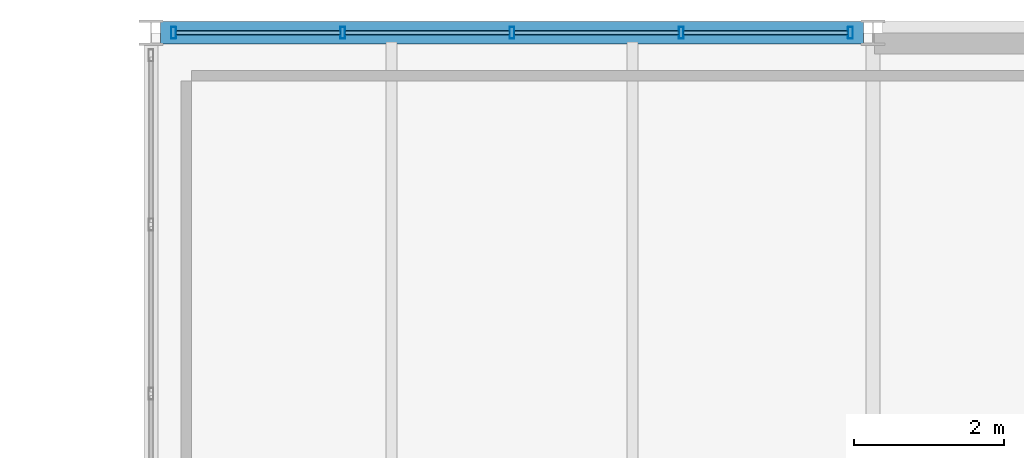
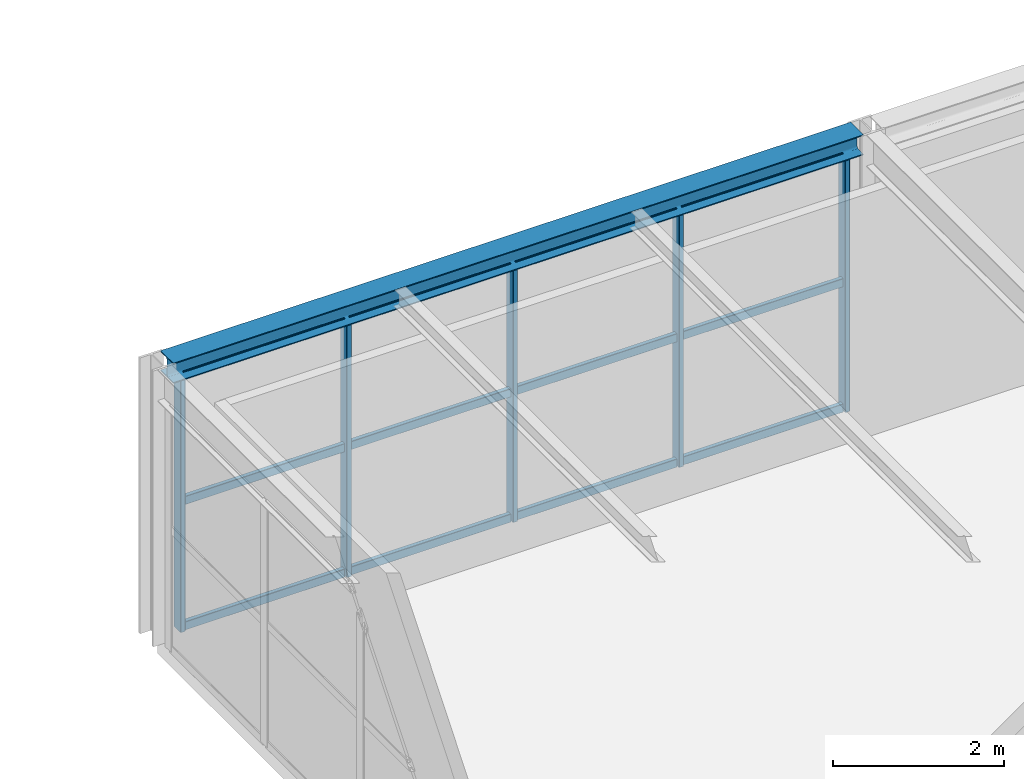
# One storey, part 74 of 126: 17 members, 1 beam, 1 element without a shape of its own.
"""IFC4 building model written with IfcOpenShell, lengths in metres."""

import ifcopenshell
import ifcopenshell.guid

model = None  # the IFC model being written
_history = None  # IfcOwnerHistory: only IFC2X3 demands one
_inside = {}  # id of a spatial element -> (the spatial element, [elements in it])
_under = {}  # id of a project, library or spatial element -> (it, [spatial elements below it])
_declared = {}  # id of a project -> (the project, [libraries it declares])
_typed = {}  # id of a type object -> (the type object, [elements of that type])
_made_of = {}  # id of a material, layer set ... -> (it, [elements and type objects made of it])


def new_model(schema):
    """Start an empty IFC model of exactly this schema.

    Asked for "IFC4X3", IfcOpenShell would pick the latest addendum, in which some entities
    have other attributes; the version numbers below select the first issue.
    IFC2X3 requires an IfcOwnerHistory on every rooted entity: one is made here for all.
    """
    global model, _history
    if schema == "IFC4X3":
        model = ifcopenshell.file(schema_version=(4, 3, 0, 0))
    else:
        model = ifcopenshell.file(schema=schema)
    _inside.clear()
    _under.clear()
    _declared.clear()
    _typed.clear()
    _made_of.clear()
    _history = None
    if model.schema == "IFC2X3":
        org = make("IfcOrganization", Name="unknown")
        user = make(
            "IfcPersonAndOrganization",
            ThePerson=make("IfcPerson", FamilyName="unknown"),
            TheOrganization=org,
        )
        app = make(
            "IfcApplication",
            ApplicationDeveloper=org,
            Version="unknown",
            ApplicationFullName="unknown",
            ApplicationIdentifier="unknown",
        )
        _history = make(
            "IfcOwnerHistory",
            OwningUser=user,
            OwningApplication=app,
            ChangeAction="ADDED",
            CreationDate=0,
        )
    return model


def make(cls, **values):
    """One entity of the class cls with the attributes given. An attribute that is None is left unset."""
    return model.create_entity(
        cls, **{name: value for name, value in values.items() if value is not None}
    )


def rooted(cls, **values):
    """An entity with a GlobalId (a new one), such as an element, a storey or a relation."""
    return make(cls, GlobalId=ifcopenshell.guid.new(), OwnerHistory=_history, **values)


def si_unit(unit_type, name, prefix=None):
    """IfcSIUnit, for example si_unit("LENGTHUNIT", "METRE", prefix="MILLI")."""
    return make("IfcSIUnit", UnitType=unit_type, Prefix=prefix, Name=name)


def assignment(units):
    """IfcUnitAssignment: the units of a project."""
    return None if units is None else make("IfcUnitAssignment", Units=units)


def point(xyz):
    """IfcCartesianPoint."""
    return None if xyz is None else make("IfcCartesianPoint", Coordinates=xyz)


def direction(xyz):
    """IfcDirection."""
    return None if xyz is None else make("IfcDirection", DirectionRatios=xyz)


def frame(location, z_axis=None, x_axis=None):
    """IfcAxis2Placement3D, a coordinate frame: its origin and axes. An axis left out is left unset."""
    return make(
        "IfcAxis2Placement3D",
        Location=point(location),
        Axis=direction(z_axis),
        RefDirection=direction(x_axis),
    )


def frame_2d(location, x_axis=None):
    """IfcAxis2Placement2D, a coordinate frame in the plane: its origin and x axis."""
    return make(
        "IfcAxis2Placement2D", Location=point(location), RefDirection=direction(x_axis)
    )


def origin():
    """The frame at (0, 0, 0) with its axes left unset."""
    return frame((0.0, 0.0, 0.0))


def origin_2d():
    """The frame at (0, 0) in the plane with its x axis left unset."""
    return frame_2d((0.0, 0.0))


def place(relative_to, where):
    """IfcLocalPlacement: puts the frame where relative to a parent placement (None: the world)."""
    return make(
        "IfcLocalPlacement", PlacementRelTo=relative_to, RelativePlacement=where
    )


def context(
    kind, dimensions, precision=None, world=None, true_north=None, identifier=None
):
    """IfcGeometricRepresentationContext, for example the 3D "Model" context."""
    return make(
        "IfcGeometricRepresentationContext",
        ContextIdentifier=identifier,
        ContextType=kind,
        CoordinateSpaceDimension=dimensions,
        Precision=precision,
        WorldCoordinateSystem=world,
        TrueNorth=true_north,
    )


def subcontext(parent, identifier, kind, view, scale=None):
    """IfcGeometricRepresentationSubContext, for example "Body" below "Model"."""
    return make(
        "IfcGeometricRepresentationSubContext",
        ContextIdentifier=identifier,
        ContextType=kind,
        ParentContext=parent,
        TargetScale=scale,
        TargetView=view,
    )


def project(units=None, contexts=None):
    """IfcProject with its units and contexts."""
    return rooted(
        "IfcProject",
        Name="project",
        RepresentationContexts=contexts,
        UnitsInContext=assignment(units),
    )


def spatial(cls, under=None, at=None, **own):
    """A site, building, storey or space (cls), placed at a placement, below another one or the project."""
    s = rooted(cls, ObjectPlacement=at, **own)
    if under is not None:
        _under.setdefault(under.id(), (under, []))[1].append(s)
    return s


def profile(cls, at=None, kind="AREA", **sizes):
    """A parametric profile (cls). Its sizes go by their IFC names, for example OverallWidth=200.0."""
    return make(cls, ProfileType=kind, Position=at, **sizes)


def hollow_rectangle(**sizes):
    """IfcRectangleHollowProfileDef."""
    return profile("IfcRectangleHollowProfileDef", **sizes)


def i_section(**sizes):
    """IfcIShapeProfileDef."""
    return profile("IfcIShapeProfileDef", **sizes)


def extrude(swept, where, along, depth):
    """IfcExtrudedAreaSolid: the profile swept, set in the frame where, extruded along a direction by depth."""
    return make(
        "IfcExtrudedAreaSolid",
        SweptArea=swept,
        Position=where,
        ExtrudedDirection=direction(along),
        Depth=depth,
    )


def shape(context_of_items, identifier, shape_type, items):
    """IfcShapeRepresentation: the items that make up one representation, for example the "Body"."""
    return make(
        "IfcShapeRepresentation",
        ContextOfItems=context_of_items,
        RepresentationIdentifier=identifier,
        RepresentationType=shape_type,
        Items=items,
    )


def material(Name=None, Category=None):
    """IfcMaterial."""
    return make("IfcMaterial", Name=Name, Category=Category)


def material_profile(
    of_material, cross_section, Name=None, Category=None, Priority=None
):
    """IfcMaterialProfile: a cross section and its material."""
    return make(
        "IfcMaterialProfile",
        Name=Name,
        Material=of_material,
        Profile=cross_section,
        Priority=Priority,
        Category=Category,
    )


def profile_set(profiles, Name=None, composite=None):
    """IfcMaterialProfileSet."""
    return make(
        "IfcMaterialProfileSet",
        Name=Name,
        MaterialProfiles=profiles,
        CompositeProfile=composite,
    )


def made_of(thing, what):
    """Note that an element or type object is made of a material, layer set ...; save() writes the relation."""
    if what is not None:
        _made_of.setdefault(what.id(), (what, []))[1].append(thing)
    return thing


def type_object(cls, material=None, **own):
    """A type object (cls), such as IfcWallType, which elements share."""
    return made_of(rooted(cls, **own), material)


def element(
    cls,
    number,
    at=None,
    inside=None,
    cuts=None,
    type_object=None,
    material=None,
    context=None,
    identifier="Body",
    shape_type=None,
    held_by="IfcProductDefinitionShape",
    body=None,
    shapes=None,
    **own,
):
    """One element of the class cls, such as IfcWall. Its Tag is "e" and its number.

    at: its placement. inside: the storey or other place that contains it. cuts: it is an
    opening in that element (IfcRelVoidsElement). A single representation is given by context,
    identifier, shape_type and body (its items); several are given by shapes. held_by: the class
    of the entity that holds the representations. save() writes the other relations.
    """
    e = rooted(cls, Tag="e%d" % number, ObjectPlacement=at, **own)
    if body is not None:
        shapes = [shape(context, identifier, shape_type, body)]
    if shapes is not None:
        e.Representation = make(held_by, Representations=shapes)
    if inside is not None:
        _inside.setdefault(inside.id(), (inside, []))[1].append(e)
    if cuts is not None:
        rooted(
            "IfcRelVoidsElement", RelatingBuildingElement=cuts, RelatedOpeningElement=e
        )
    if type_object is not None:
        _typed.setdefault(type_object.id(), (type_object, []))[1].append(e)
    return made_of(e, material)


def aggregate(whole, parts):
    """IfcRelAggregates: a whole, such as a stair, and the parts it consists of."""
    return rooted("IfcRelAggregates", RelatingObject=whole, RelatedObjects=parts)


def save(model, path):
    """Write the relations noted so far, then the file.

    IfcRelAggregates (storeys below a building ...), IfcRelContainedInSpatialStructure (elements
    in a storey), IfcRelDefinesByType, IfcRelAssociatesMaterial and IfcRelDeclares: one each for
    every whole, place, type object, material and project.
    """
    for whole, parts in _under.values():
        aggregate(whole, parts)
    for where, things in _inside.values():
        rooted(
            "IfcRelContainedInSpatialStructure",
            RelatedElements=things,
            RelatingStructure=where,
        )
    for kind, things in _typed.values():
        rooted("IfcRelDefinesByType", RelatedObjects=things, RelatingType=kind)
    for what, things in _made_of.values():
        rooted("IfcRelAssociatesMaterial", RelatedObjects=things, RelatingMaterial=what)
    for by, libraries in _declared.values():
        rooted("IfcRelDeclares", RelatingContext=by, RelatedDefinitions=libraries)
    model.write(path)


model = new_model("IFC4")

# Units and contexts
model_context = context("Model", 3, precision=1e-05, world=origin(), true_north=direction((0.0, 1.0)))
body_context = subcontext(model_context, "Body", "Model", "MODEL_VIEW")
ifc_project = project(units=[si_unit("LENGTHUNIT", "METRE"), si_unit("AREAUNIT", "SQUARE_METRE"), si_unit("VOLUMEUNIT", "CUBIC_METRE"), si_unit("PLANEANGLEUNIT", "RADIAN"), si_unit("MASSUNIT", "GRAM", prefix="KILO")], contexts=[model_context])

# Site, building, storey
site_placement = place(None, origin())
site = spatial("IfcSite", under=ifc_project, at=site_placement, CompositionType="ELEMENT")
building_placement = place(site_placement, origin())
building = spatial("IfcBuilding", under=site, at=building_placement, Name="Coralgate Yard Interchange", CompositionType="ELEMENT")
storey_placement = place(building_placement, frame((0.0, 0.0, 10.5)))
storey = spatial("IfcBuildingStorey", under=building, at=storey_placement, Name="L02", CompositionType="ELEMENT", Elevation=10.5)

# Beam
ifc_material_1 = material(Name="Structural steel S355J2", Category="steel")
ifc_material_profile_1 = material_profile(ifc_material_1, i_section(OverallWidth=0.300048828125, OverallDepth=0.2900390625, WebThickness=0.008544921875, FlangeThickness=0.013916015625, FilletRadius=0.027099609375, at=origin_2d()), Name="HEA 300")
ifc_profile_set_1 = profile_set([ifc_material_profile_1], Name="Structural steel S355J2")
beam_type = type_object("IfcBeamType", Name="BM-SP-2", PredefinedType="SPANDREL", material=ifc_profile_set_1)
beam_placement = place(storey_placement, frame((38.527099609375, 96.0, 3.804931640625), z_axis=(1.0, 0.0, 0.0), x_axis=(0.0, 1.0, 0.0)))
element("IfcBeam", 1, at=beam_placement, inside=storey, type_object=beam_type, Name="L02 primary grid beam Y10 X4-5", PredefinedType="SPANDREL", context=body_context, shape_type="SweptSolid", body=[
    extrude(i_section(OverallWidth=0.300048828125, OverallDepth=0.2900390625, WebThickness=0.008544921875, FlangeThickness=0.013916015625, FilletRadius=0.027099609375, at=origin_2d()), origin(), (0.0, 0.0, 1.0), 9.345703125),
])

# Curtain wall, members
ifc_material_2 = material(Name="Anodised coastal aluminium and solar-control low-E glass", Category="aluminium")
curtain_wall_type = type_object("IfcCurtainWallType", Name="CW-CW-L02-A", PredefinedType="NOTDEFINED", material=ifc_material_2)
curtain_wall_placement = place(storey_placement, origin())
curtain_wall = element("IfcCurtainWall", 2, at=curtain_wall_placement, inside=storey, type_object=curtain_wall_type, Name="L02 unitised curtain wall CW-L02-N-04-09", PredefinedType="NOTDEFINED")
ifc_material_3 = material(Name="Anodised coastal aluminium 6063-T6", Category="aluminium")
ifc_material_profile_2 = material_profile(ifc_material_3, hollow_rectangle(XDim=0.06494140625, YDim=0.159912109375, WallThickness=0.00390625, InnerFilletRadius=0.00390625, OuterFilletRadius=0.008056640625, at=origin_2d()), Name="ALU 65x160x4")
ifc_profile_set_2 = profile_set([ifc_material_profile_2], Name="Anodised coastal aluminium 6063-T6")
member_type_1 = type_object("IfcMemberType", Name="MB-MUL-160", PredefinedType="MULLION", material=ifc_profile_set_2)
member_1_placement = place(storey_placement, frame((38.699951171875, 96.0, 0.0), z_axis=(0.0, 0.0, 1.0), x_axis=(1.0, 0.0, 0.0)))
member_1 = element("IfcMember", 3, at=member_1_placement, type_object=member_type_1, Name="CW-L02-N-04-09 vertical mullion 1", PredefinedType="MULLION", context=body_context, shape_type="SweptSolid", body=[
    extrude(hollow_rectangle(XDim=0.06494140625, YDim=0.159912109375, WallThickness=0.00390625, InnerFilletRadius=0.00390625, OuterFilletRadius=0.008056640625, at=origin_2d()), origin(), (0.0, 0.0, 1.0), 3.659912109375),
])
member_2_placement = place(storey_placement, frame((40.949951171875, 96.0, 0.0), z_axis=(0.0, 0.0, 1.0), x_axis=(1.0, 0.0, 0.0)))
member_2 = element("IfcMember", 4, at=member_2_placement, type_object=member_type_1, Name="CW-L02-N-04-09 vertical mullion 2", PredefinedType="MULLION", context=body_context, shape_type="SweptSolid", body=[
    extrude(hollow_rectangle(XDim=0.06494140625, YDim=0.159912109375, WallThickness=0.00390625, InnerFilletRadius=0.00390625, OuterFilletRadius=0.008056640625, at=origin_2d()), origin(), (0.0, 0.0, 1.0), 3.659912109375),
])
member_3_placement = place(storey_placement, frame((43.199951171875, 96.0, 0.0), z_axis=(0.0, 0.0, 1.0), x_axis=(1.0, 0.0, 0.0)))
member_3 = element("IfcMember", 5, at=member_3_placement, type_object=member_type_1, Name="CW-L02-N-04-09 vertical mullion 3", PredefinedType="MULLION", context=body_context, shape_type="SweptSolid", body=[
    extrude(hollow_rectangle(XDim=0.06494140625, YDim=0.159912109375, WallThickness=0.00390625, InnerFilletRadius=0.00390625, OuterFilletRadius=0.008056640625, at=origin_2d()), origin(), (0.0, 0.0, 1.0), 3.659912109375),
])
member_4_placement = place(storey_placement, frame((45.449951171875, 96.0, 0.0), z_axis=(0.0, 0.0, 1.0), x_axis=(1.0, 0.0, 0.0)))
member_4 = element("IfcMember", 6, at=member_4_placement, type_object=member_type_1, Name="CW-L02-N-04-09 vertical mullion 4", PredefinedType="MULLION", context=body_context, shape_type="SweptSolid", body=[
    extrude(hollow_rectangle(XDim=0.06494140625, YDim=0.159912109375, WallThickness=0.00390625, InnerFilletRadius=0.00390625, OuterFilletRadius=0.008056640625, at=origin_2d()), origin(), (0.0, 0.0, 1.0), 3.659912109375),
])
member_5_placement = place(storey_placement, frame((47.699951171875, 96.0, 0.0), z_axis=(0.0, 0.0, 1.0), x_axis=(1.0, 0.0, 0.0)))
member_5 = element("IfcMember", 7, at=member_5_placement, type_object=member_type_1, Name="CW-L02-N-04-09 vertical mullion 5", PredefinedType="MULLION", context=body_context, shape_type="SweptSolid", body=[
    extrude(hollow_rectangle(XDim=0.06494140625, YDim=0.159912109375, WallThickness=0.00390625, InnerFilletRadius=0.00390625, OuterFilletRadius=0.008056640625, at=origin_2d()), origin(), (0.0, 0.0, 1.0), 3.659912109375),
])
ifc_material_profile_3 = material_profile(ifc_material_3, hollow_rectangle(XDim=0.06005859375, YDim=0.1201171875, WallThickness=0.00341796875, InnerFilletRadius=0.00341796875, OuterFilletRadius=0.007080078125, at=origin_2d()), Name="ALU 60x120x3.5")
ifc_profile_set_3 = profile_set([ifc_material_profile_3], Name="Anodised coastal aluminium 6063-T6")
member_type_2 = type_object("IfcMemberType", Name="MB-TRN-120", PredefinedType="USERDEFINED", material=ifc_profile_set_3)
member_6_placement = place(storey_placement, frame((38.72998046875, 96.0, 0.034912109375), z_axis=(1.0, 0.0, 0.0), x_axis=(0.0, 1.0, 0.0)))
member_6 = element("IfcMember", 8, at=member_6_placement, type_object=member_type_2, Name="CW-L02-N-04-09 horizontal transom 1-1", ObjectType="TRANSOM", PredefinedType="USERDEFINED", context=body_context, shape_type="SweptSolid", body=[
    extrude(hollow_rectangle(XDim=0.06005859375, YDim=0.1201171875, WallThickness=0.00341796875, InnerFilletRadius=0.00341796875, OuterFilletRadius=0.007080078125, at=origin_2d()), origin(), (0.0, 0.0, 1.0), 2.18994140625),
])
member_7_placement = place(storey_placement, frame((38.72998046875, 96.0, 1.830078125), z_axis=(1.0, 0.0, 0.0), x_axis=(0.0, 1.0, 0.0)))
member_7 = element("IfcMember", 9, at=member_7_placement, type_object=member_type_2, Name="CW-L02-N-04-09 horizontal transom 1-2", ObjectType="TRANSOM", PredefinedType="USERDEFINED", context=body_context, shape_type="SweptSolid", body=[
    extrude(hollow_rectangle(XDim=0.06005859375, YDim=0.1201171875, WallThickness=0.00341796875, InnerFilletRadius=0.00341796875, OuterFilletRadius=0.007080078125, at=origin_2d()), origin(), (0.0, 0.0, 1.0), 2.18994140625),
])
member_8_placement = place(storey_placement, frame((38.72998046875, 96.0, 3.625), z_axis=(1.0, 0.0, 0.0), x_axis=(0.0, 1.0, 0.0)))
member_8 = element("IfcMember", 10, at=member_8_placement, type_object=member_type_2, Name="CW-L02-N-04-09 horizontal transom 1-3", ObjectType="TRANSOM", PredefinedType="USERDEFINED", context=body_context, shape_type="SweptSolid", body=[
    extrude(hollow_rectangle(XDim=0.06005859375, YDim=0.1201171875, WallThickness=0.00341796875, InnerFilletRadius=0.00341796875, OuterFilletRadius=0.007080078125, at=origin_2d()), origin(), (0.0, 0.0, 1.0), 2.18994140625),
])
member_9_placement = place(storey_placement, frame((40.97998046875, 96.0, 0.034912109375), z_axis=(1.0, 0.0, 0.0), x_axis=(0.0, 1.0, 0.0)))
member_9 = element("IfcMember", 11, at=member_9_placement, type_object=member_type_2, Name="CW-L02-N-04-09 horizontal transom 2-1", ObjectType="TRANSOM", PredefinedType="USERDEFINED", context=body_context, shape_type="SweptSolid", body=[
    extrude(hollow_rectangle(XDim=0.06005859375, YDim=0.1201171875, WallThickness=0.00341796875, InnerFilletRadius=0.00341796875, OuterFilletRadius=0.007080078125, at=origin_2d()), origin(), (0.0, 0.0, 1.0), 2.18994140625),
])
member_10_placement = place(storey_placement, frame((40.97998046875, 96.0, 1.830078125), z_axis=(1.0, 0.0, 0.0), x_axis=(0.0, 1.0, 0.0)))
member_10 = element("IfcMember", 12, at=member_10_placement, type_object=member_type_2, Name="CW-L02-N-04-09 horizontal transom 2-2", ObjectType="TRANSOM", PredefinedType="USERDEFINED", context=body_context, shape_type="SweptSolid", body=[
    extrude(hollow_rectangle(XDim=0.06005859375, YDim=0.1201171875, WallThickness=0.00341796875, InnerFilletRadius=0.00341796875, OuterFilletRadius=0.007080078125, at=origin_2d()), origin(), (0.0, 0.0, 1.0), 2.18994140625),
])
member_11_placement = place(storey_placement, frame((40.97998046875, 96.0, 3.625), z_axis=(1.0, 0.0, 0.0), x_axis=(0.0, 1.0, 0.0)))
member_11 = element("IfcMember", 13, at=member_11_placement, type_object=member_type_2, Name="CW-L02-N-04-09 horizontal transom 2-3", ObjectType="TRANSOM", PredefinedType="USERDEFINED", context=body_context, shape_type="SweptSolid", body=[
    extrude(hollow_rectangle(XDim=0.06005859375, YDim=0.1201171875, WallThickness=0.00341796875, InnerFilletRadius=0.00341796875, OuterFilletRadius=0.007080078125, at=origin_2d()), origin(), (0.0, 0.0, 1.0), 2.18994140625),
])
member_12_placement = place(storey_placement, frame((43.22998046875, 96.0, 0.034912109375), z_axis=(1.0, 0.0, 0.0), x_axis=(0.0, 1.0, 0.0)))
member_12 = element("IfcMember", 14, at=member_12_placement, type_object=member_type_2, Name="CW-L02-N-04-09 horizontal transom 3-1", ObjectType="TRANSOM", PredefinedType="USERDEFINED", context=body_context, shape_type="SweptSolid", body=[
    extrude(hollow_rectangle(XDim=0.06005859375, YDim=0.1201171875, WallThickness=0.00341796875, InnerFilletRadius=0.00341796875, OuterFilletRadius=0.007080078125, at=origin_2d()), origin(), (0.0, 0.0, 1.0), 2.18994140625),
])
member_13_placement = place(storey_placement, frame((43.22998046875, 96.0, 1.830078125), z_axis=(1.0, 0.0, 0.0), x_axis=(0.0, 1.0, 0.0)))
member_13 = element("IfcMember", 15, at=member_13_placement, type_object=member_type_2, Name="CW-L02-N-04-09 horizontal transom 3-2", ObjectType="TRANSOM", PredefinedType="USERDEFINED", context=body_context, shape_type="SweptSolid", body=[
    extrude(hollow_rectangle(XDim=0.06005859375, YDim=0.1201171875, WallThickness=0.00341796875, InnerFilletRadius=0.00341796875, OuterFilletRadius=0.007080078125, at=origin_2d()), origin(), (0.0, 0.0, 1.0), 2.18994140625),
])
member_14_placement = place(storey_placement, frame((43.22998046875, 96.0, 3.625), z_axis=(1.0, 0.0, 0.0), x_axis=(0.0, 1.0, 0.0)))
member_14 = element("IfcMember", 16, at=member_14_placement, type_object=member_type_2, Name="CW-L02-N-04-09 horizontal transom 3-3", ObjectType="TRANSOM", PredefinedType="USERDEFINED", context=body_context, shape_type="SweptSolid", body=[
    extrude(hollow_rectangle(XDim=0.06005859375, YDim=0.1201171875, WallThickness=0.00341796875, InnerFilletRadius=0.00341796875, OuterFilletRadius=0.007080078125, at=origin_2d()), origin(), (0.0, 0.0, 1.0), 2.18994140625),
])
member_15_placement = place(storey_placement, frame((45.47998046875, 96.0, 0.034912109375), z_axis=(1.0, 0.0, 0.0), x_axis=(0.0, 1.0, 0.0)))
member_15 = element("IfcMember", 17, at=member_15_placement, type_object=member_type_2, Name="CW-L02-N-04-09 horizontal transom 4-1", ObjectType="TRANSOM", PredefinedType="USERDEFINED", context=body_context, shape_type="SweptSolid", body=[
    extrude(hollow_rectangle(XDim=0.06005859375, YDim=0.1201171875, WallThickness=0.00341796875, InnerFilletRadius=0.00341796875, OuterFilletRadius=0.007080078125, at=origin_2d()), origin(), (0.0, 0.0, 1.0), 2.18994140625),
])
member_16_placement = place(storey_placement, frame((45.47998046875, 96.0, 1.830078125), z_axis=(1.0, 0.0, 0.0), x_axis=(0.0, 1.0, 0.0)))
member_16 = element("IfcMember", 18, at=member_16_placement, type_object=member_type_2, Name="CW-L02-N-04-09 horizontal transom 4-2", ObjectType="TRANSOM", PredefinedType="USERDEFINED", context=body_context, shape_type="SweptSolid", body=[
    extrude(hollow_rectangle(XDim=0.06005859375, YDim=0.1201171875, WallThickness=0.00341796875, InnerFilletRadius=0.00341796875, OuterFilletRadius=0.007080078125, at=origin_2d()), origin(), (0.0, 0.0, 1.0), 2.18994140625),
])
member_17_placement = place(storey_placement, frame((45.47998046875, 96.0, 3.625), z_axis=(1.0, 0.0, 0.0), x_axis=(0.0, 1.0, 0.0)))
member_17 = element("IfcMember", 19, at=member_17_placement, type_object=member_type_2, Name="CW-L02-N-04-09 horizontal transom 4-3", ObjectType="TRANSOM", PredefinedType="USERDEFINED", context=body_context, shape_type="SweptSolid", body=[
    extrude(hollow_rectangle(XDim=0.06005859375, YDim=0.1201171875, WallThickness=0.00341796875, InnerFilletRadius=0.00341796875, OuterFilletRadius=0.007080078125, at=origin_2d()), origin(), (0.0, 0.0, 1.0), 2.18994140625),
])
aggregate(curtain_wall, [member_1, member_2, member_3, member_4, member_5, member_6, member_7, member_8, member_9, member_10, member_11, member_12, member_13, member_14, member_15, member_16, member_17])

save(model, "model.ifc")
